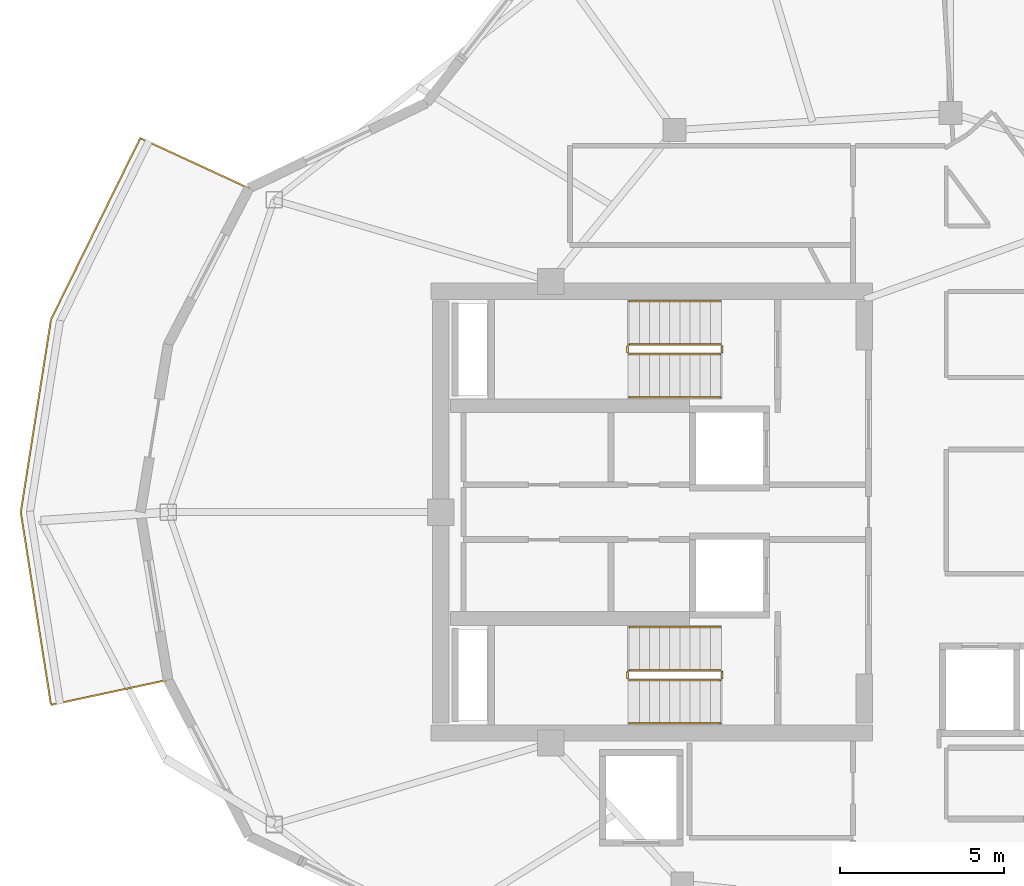
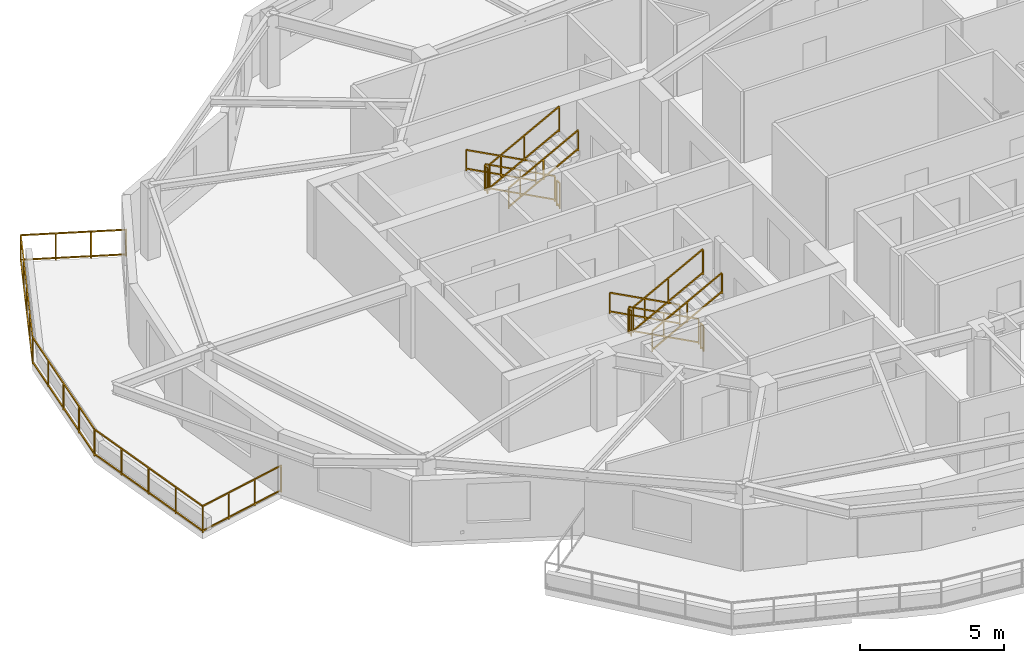
# One storey, part 11 of 14: 13 railings.
"""IFC4 building model written with IfcOpenShell, lengths in metres."""

from ifc_helpers import new_model, si_unit, direction, frame, origin, origin_2d, place, context, subcontext, project, spatial, rectangle, extrude, material, type_object, element, save


model = new_model("IFC4")

# Units and contexts
model_context = context("Model", 3, precision=1e-05, world=origin(), true_north=direction((0.0, 1.0)))
body_context = subcontext(model_context, "Body", "Model", "MODEL_VIEW")
ifc_project = project(units=[si_unit("LENGTHUNIT", "METRE"), si_unit("AREAUNIT", "SQUARE_METRE"), si_unit("VOLUMEUNIT", "CUBIC_METRE"), si_unit("PLANEANGLEUNIT", "RADIAN"), si_unit("MASSUNIT", "GRAM", prefix="KILO")], contexts=[model_context])

# Site, building, storey
site_placement = place(None, origin())
site = spatial("IfcSite", under=ifc_project, at=site_placement, CompositionType="ELEMENT")
building_placement = place(site_placement, origin())
building = spatial("IfcBuilding", under=site, at=building_placement, Name="Kolvaren Gate Tower and Convention Centre", CompositionType="ELEMENT")
storey_placement = place(building_placement, frame((0.0, 0.0, 209.60009765625)))
storey = spatial("IfcBuildingStorey", under=building, at=storey_placement, Name="L55", CompositionType="ELEMENT", Elevation=209.60009765625)

# Railings
ifc_material = material(Name="Brushed Stainless Steel Grade 316L", Category="steel")
railing_type_1 = type_object("IfcRailingType", Name="ARCH-RL-GUARD-1150", PredefinedType="GUARDRAIL", material=ifc_material)
railing_1_placement = place(storey_placement, frame((23.10009765625, 32.1298828125, 0.164794921875)))
element("IfcRailing", 1, at=railing_1_placement, inside=storey, type_object=railing_type_1, Name="L55 ST-T1 stair guard 1", PredefinedType="GUARDRAIL", context=body_context, shape_type="SweptSolid", body=[
    extrude(rectangle(XDim=0.048095703125, YDim=0.048095703125, at=origin_2d()), frame((0.0, 0.0, 1.076171875), z_axis=(-0.882735390775, 0.0, 0.469870439454), x_axis=(0.0, -1.0, 0.0)), (0.0, 0.0, 1.0), 3.16064453125),
    extrude(rectangle(XDim=0.048095703125, YDim=0.048095703125, at=origin_2d()), frame((0.0, 0.0, 0.083984375), z_axis=(-0.882735390775, 0.0, 0.469870439454), x_axis=(0.0, -1.0, 0.0)), (0.0, 0.0, 1.0), 3.16064453125),
    extrude(rectangle(XDim=0.0419921875, YDim=0.0419921875, at=origin_2d()), origin(), (0.0, 0.0, 1.0), 1.050048828125),
    extrude(rectangle(XDim=0.0419921875, YDim=0.0419921875, at=origin_2d()), frame((-2.7900390625, 0.0, 1.485107421875)), (0.0, 0.0, 1.0), 1.050048828125),
    extrude(rectangle(XDim=0.0419921875, YDim=0.0419921875, at=origin_2d()), frame((-1.39501953125, 0.0, 0.74267578125)), (0.0, 0.0, 1.0), 1.050048828125),
])
railing_2_placement = place(storey_placement, frame((20.260009765625, 32.080078125, 1.64990234375)))
element("IfcRailing", 2, at=railing_2_placement, inside=storey, type_object=railing_type_1, Name="L55 ST-T1 stair guard 2", PredefinedType="GUARDRAIL", context=body_context, shape_type="SweptSolid", body=[
    extrude(rectangle(XDim=0.048095703125, YDim=0.048095703125, at=origin_2d()), frame((0.0, 0.0, 1.076171875), z_axis=(0.0, -1.0, 0.0), x_axis=(1.0, 0.0, 0.0)), (0.0, 0.0, 1.0), 0.2001953125),
    extrude(rectangle(XDim=0.048095703125, YDim=0.048095703125, at=origin_2d()), frame((0.0, 0.0, 0.083984375), z_axis=(0.0, -1.0, 0.0), x_axis=(1.0, 0.0, 0.0)), (0.0, 0.0, 1.0), 0.2001953125),
    extrude(rectangle(XDim=0.0419921875, YDim=0.0419921875, at=origin_2d()), origin(), (0.0, 0.0, 1.0), 1.050048828125),
    extrude(rectangle(XDim=0.0419921875, YDim=0.0419921875, at=origin_2d()), frame((0.0, -0.2001953125, 0.0)), (0.0, 0.0, 1.0), 1.050048828125),
])
railing_3_placement = place(storey_placement, frame((20.31005859375, 31.830078125, 1.81494140625)))
element("IfcRailing", 3, at=railing_3_placement, inside=storey, type_object=railing_type_1, Name="L55 ST-T1 stair guard 3", PredefinedType="GUARDRAIL", context=body_context, shape_type="SweptSolid", body=[
    extrude(rectangle(XDim=0.048095703125, YDim=0.048095703125, at=origin_2d()), frame((0.0, 0.0, 1.076171875), z_axis=(0.882767428149, 0.0, 0.469810246588), x_axis=(0.0, 1.0, 0.0)), (0.0, 0.0, 1.0), 3.16064453125),
    extrude(rectangle(XDim=0.048095703125, YDim=0.048095703125, at=origin_2d()), frame((0.0, 0.0, 0.083984375), z_axis=(0.882767428149, 0.0, 0.469810246588), x_axis=(0.0, 1.0, 0.0)), (0.0, 0.0, 1.0), 3.16064453125),
    extrude(rectangle(XDim=0.0419921875, YDim=0.0419921875, at=origin_2d()), origin(), (0.0, 0.0, 1.0), 1.050048828125),
    extrude(rectangle(XDim=0.0419921875, YDim=0.0419921875, at=origin_2d()), frame((2.7900390625, 0.0, 1.48486328125)), (0.0, 0.0, 1.0), 1.050048828125),
    extrude(rectangle(XDim=0.0419921875, YDim=0.0419921875, at=origin_2d()), frame((1.39501953125, 0.0, 0.742431640625)), (0.0, 0.0, 1.0), 1.050048828125),
])
railing_4_placement = place(storey_placement, frame((23.14990234375, 32.080078125, 0.0)))
element("IfcRailing", 4, at=railing_4_placement, inside=storey, type_object=railing_type_1, Name="L55 ST-T1 stair guard 4", PredefinedType="GUARDRAIL", context=body_context, shape_type="SweptSolid", body=[
    extrude(rectangle(XDim=0.048095703125, YDim=0.048095703125, at=origin_2d()), frame((0.0, 0.0, 1.076171875), z_axis=(0.0, -1.0, 0.0), x_axis=(1.0, 0.0, 0.0)), (0.0, 0.0, 1.0), 0.2001953125),
    extrude(rectangle(XDim=0.048095703125, YDim=0.048095703125, at=origin_2d()), frame((0.0, 0.0, 0.083984375), z_axis=(0.0, -1.0, 0.0), x_axis=(1.0, 0.0, 0.0)), (0.0, 0.0, 1.0), 0.2001953125),
    extrude(rectangle(XDim=0.0419921875, YDim=0.0419921875, at=origin_2d()), origin(), (0.0, 0.0, 1.0), 1.050048828125),
    extrude(rectangle(XDim=0.0419921875, YDim=0.0419921875, at=origin_2d()), frame((0.0, -0.2001953125, 0.0)), (0.0, 0.0, 1.0), 1.050048828125),
])
railing_5_placement = place(storey_placement, frame((23.10009765625, 22.169921875, 0.164794921875)))
element("IfcRailing", 5, at=railing_5_placement, inside=storey, type_object=railing_type_1, Name="L55 ST-T2 stair guard 1", PredefinedType="GUARDRAIL", context=body_context, shape_type="SweptSolid", body=[
    extrude(rectangle(XDim=0.048095703125, YDim=0.048095703125, at=origin_2d()), frame((0.0, 0.0, 1.076171875), z_axis=(-0.882735390775, 0.0, 0.469870439454), x_axis=(0.0, -1.0, 0.0)), (0.0, 0.0, 1.0), 3.16064453125),
    extrude(rectangle(XDim=0.048095703125, YDim=0.048095703125, at=origin_2d()), frame((0.0, 0.0, 0.083984375), z_axis=(-0.882735390775, 0.0, 0.469870439454), x_axis=(0.0, -1.0, 0.0)), (0.0, 0.0, 1.0), 3.16064453125),
    extrude(rectangle(XDim=0.0419921875, YDim=0.0419921875, at=origin_2d()), origin(), (0.0, 0.0, 1.0), 1.050048828125),
    extrude(rectangle(XDim=0.0419921875, YDim=0.0419921875, at=origin_2d()), frame((-2.7900390625, 0.0, 1.485107421875)), (0.0, 0.0, 1.0), 1.050048828125),
    extrude(rectangle(XDim=0.0419921875, YDim=0.0419921875, at=origin_2d()), frame((-1.39501953125, 0.0, 0.74267578125)), (0.0, 0.0, 1.0), 1.050048828125),
])
railing_6_placement = place(storey_placement, frame((20.260009765625, 22.1201171875, 1.64990234375)))
element("IfcRailing", 6, at=railing_6_placement, inside=storey, type_object=railing_type_1, Name="L55 ST-T2 stair guard 2", PredefinedType="GUARDRAIL", context=body_context, shape_type="SweptSolid", body=[
    extrude(rectangle(XDim=0.048095703125, YDim=0.048095703125, at=origin_2d()), frame((0.0, 0.0, 1.076171875), z_axis=(0.0, -1.0, 0.0), x_axis=(1.0, 0.0, 0.0)), (0.0, 0.0, 1.0), 0.2001953125),
    extrude(rectangle(XDim=0.048095703125, YDim=0.048095703125, at=origin_2d()), frame((0.0, 0.0, 0.083984375), z_axis=(0.0, -1.0, 0.0), x_axis=(1.0, 0.0, 0.0)), (0.0, 0.0, 1.0), 0.2001953125),
    extrude(rectangle(XDim=0.0419921875, YDim=0.0419921875, at=origin_2d()), origin(), (0.0, 0.0, 1.0), 1.050048828125),
    extrude(rectangle(XDim=0.0419921875, YDim=0.0419921875, at=origin_2d()), frame((0.0, -0.2001953125, 0.0)), (0.0, 0.0, 1.0), 1.050048828125),
])
railing_7_placement = place(storey_placement, frame((20.31005859375, 21.8701171875, 1.81494140625)))
element("IfcRailing", 7, at=railing_7_placement, inside=storey, type_object=railing_type_1, Name="L55 ST-T2 stair guard 3", PredefinedType="GUARDRAIL", context=body_context, shape_type="SweptSolid", body=[
    extrude(rectangle(XDim=0.048095703125, YDim=0.048095703125, at=origin_2d()), frame((0.0, 0.0, 1.076171875), z_axis=(0.882767428149, 0.0, 0.469810246588), x_axis=(0.0, 1.0, 0.0)), (0.0, 0.0, 1.0), 3.16064453125),
    extrude(rectangle(XDim=0.048095703125, YDim=0.048095703125, at=origin_2d()), frame((0.0, 0.0, 0.083984375), z_axis=(0.882767428149, 0.0, 0.469810246588), x_axis=(0.0, 1.0, 0.0)), (0.0, 0.0, 1.0), 3.16064453125),
    extrude(rectangle(XDim=0.0419921875, YDim=0.0419921875, at=origin_2d()), origin(), (0.0, 0.0, 1.0), 1.050048828125),
    extrude(rectangle(XDim=0.0419921875, YDim=0.0419921875, at=origin_2d()), frame((2.7900390625, 0.0, 1.48486328125)), (0.0, 0.0, 1.0), 1.050048828125),
    extrude(rectangle(XDim=0.0419921875, YDim=0.0419921875, at=origin_2d()), frame((1.39501953125, 0.0, 0.742431640625)), (0.0, 0.0, 1.0), 1.050048828125),
])
railing_8_placement = place(storey_placement, frame((23.14990234375, 22.1201171875, 0.0)))
element("IfcRailing", 8, at=railing_8_placement, inside=storey, type_object=railing_type_1, Name="L55 ST-T2 stair guard 4", PredefinedType="GUARDRAIL", context=body_context, shape_type="SweptSolid", body=[
    extrude(rectangle(XDim=0.048095703125, YDim=0.048095703125, at=origin_2d()), frame((0.0, 0.0, 1.076171875), z_axis=(0.0, -1.0, 0.0), x_axis=(1.0, 0.0, 0.0)), (0.0, 0.0, 1.0), 0.2001953125),
    extrude(rectangle(XDim=0.048095703125, YDim=0.048095703125, at=origin_2d()), frame((0.0, 0.0, 0.083984375), z_axis=(0.0, -1.0, 0.0), x_axis=(1.0, 0.0, 0.0)), (0.0, 0.0, 1.0), 0.2001953125),
    extrude(rectangle(XDim=0.0419921875, YDim=0.0419921875, at=origin_2d()), origin(), (0.0, 0.0, 1.0), 1.050048828125),
    extrude(rectangle(XDim=0.0419921875, YDim=0.0419921875, at=origin_2d()), frame((0.0, -0.2001953125, 0.0)), (0.0, 0.0, 1.0), 1.050048828125),
])
railing_9_placement = place(storey_placement, frame((8.69091796875, 36.89990234375, 0.0)))
element("IfcRailing", 9, at=railing_9_placement, inside=storey, type_object=railing_type_1, Name="Tower L55 Terrace Perimeter Guardrail GR-2", PredefinedType="GUARDRAIL", context=body_context, shape_type="SweptSolid", body=[
    extrude(rectangle(XDim=0.048095703125, YDim=0.048095703125, at=origin_2d()), frame((-0.025390625, 0.01171875, 1.1259765625), z_axis=(-0.907820723829, 0.419358478377, 0.0), x_axis=(-0.419358478377, -0.907820723829, 0.0)), (0.0, 0.0, 1.0), 3.60400390625),
    extrude(rectangle(XDim=0.048095703125, YDim=0.048095703125, at=origin_2d()), frame((-0.025390625, 0.01171875, 0.083984375), z_axis=(-0.907820723829, 0.419358478377, 0.0), x_axis=(-0.419358478377, -0.907820723829, 0.0)), (0.0, 0.0, 1.0), 3.60400390625),
    extrude(rectangle(XDim=0.048095703125, YDim=0.048095703125, at=origin_2d()), frame((-3.335205078125, 1.509765625, 1.1259765625), z_axis=(-0.441625304244, -0.897199582396, 0.0), x_axis=(0.897199582396, -0.441625304244, 0.0)), (0.0, 0.0, 1.0), 6.122314453125),
    extrude(rectangle(XDim=0.048095703125, YDim=0.048095703125, at=origin_2d()), frame((-3.335205078125, 1.509765625, 0.083984375), z_axis=(-0.441625304244, -0.897199582396, 0.0), x_axis=(0.897199582396, -0.441625304244, 0.0)), (0.0, 0.0, 1.0), 6.122314453125),
    extrude(rectangle(XDim=0.048095703125, YDim=0.048095703125, at=origin_2d()), frame((-6.0556640625, -4.035888671875, 1.1259765625), z_axis=(-0.155031225865, -0.987909570258, 0.0), x_axis=(0.987909570258, -0.155031225865, 0.0)), (0.0, 0.0, 1.0), 5.90771484375),
    extrude(rectangle(XDim=0.048095703125, YDim=0.048095703125, at=origin_2d()), frame((-6.0556640625, -4.035888671875, 0.083984375), z_axis=(-0.155031225865, -0.987909570258, 0.0), x_axis=(0.987909570258, -0.155031225865, 0.0)), (0.0, 0.0, 1.0), 5.90771484375),
    extrude(rectangle(XDim=0.048095703125, YDim=0.048095703125, at=origin_2d()), frame((-6.971435546875, -9.927490234375, 1.1259765625), z_axis=(0.155031225865, -0.987909570258, 0.0), x_axis=(0.987909570258, 0.155031225865, 0.0)), (0.0, 0.0, 1.0), 5.90771484375),
    extrude(rectangle(XDim=0.048095703125, YDim=0.048095703125, at=origin_2d()), frame((-6.971435546875, -9.927490234375, 0.083984375), z_axis=(0.155031225865, -0.987909570258, 0.0), x_axis=(0.987909570258, 0.155031225865, 0.0)), (0.0, 0.0, 1.0), 5.90771484375),
    extrude(rectangle(XDim=0.048095703125, YDim=0.048095703125, at=origin_2d()), frame((-6.02392578125, -15.78564453125, 1.1259765625), z_axis=(0.977788745232, 0.209592866525, 0.0), x_axis=(-0.209592866525, 0.977788745232, 0.0)), (0.0, 0.0, 1.0), 3.603759765625),
    extrude(rectangle(XDim=0.048095703125, YDim=0.048095703125, at=origin_2d()), frame((-6.02392578125, -15.78564453125, 0.083984375), z_axis=(0.977788745232, 0.209592866525, 0.0), x_axis=(-0.209592866525, 0.977788745232, 0.0)), (0.0, 0.0, 1.0), 3.603759765625),
    extrude(rectangle(XDim=0.0419921875, YDim=0.0419921875, at=origin_2d()), origin(), (0.0, 0.0, 1.0), 1.14990234375),
    extrude(rectangle(XDim=0.0419921875, YDim=0.0419921875, at=origin_2d()), frame((-3.32275390625, 1.534912109375, 0.0)), (0.0, 0.0, 1.0), 1.14990234375),
    extrude(rectangle(XDim=0.0419921875, YDim=0.0419921875, at=origin_2d()), frame((-1.107666015625, 0.51171875, 0.0)), (0.0, 0.0, 1.0), 1.099853515625),
    extrude(rectangle(XDim=0.0419921875, YDim=0.0419921875, at=origin_2d()), frame((-2.215087890625, 1.023193359375, 0.0)), (0.0, 0.0, 1.0), 1.099853515625),
    extrude(rectangle(XDim=0.0419921875, YDim=0.0419921875, at=origin_2d()), frame((-6.05126953125, -4.00830078125, 0.0)), (0.0, 0.0, 1.0), 1.14990234375),
    extrude(rectangle(XDim=0.0419921875, YDim=0.0419921875, at=origin_2d()), frame((-4.0048828125, 0.149169921875, 0.0)), (0.0, 0.0, 1.0), 1.099853515625),
    extrude(rectangle(XDim=0.0419921875, YDim=0.0419921875, at=origin_2d()), frame((-4.68701171875, -1.23681640625, 0.0)), (0.0, 0.0, 1.0), 1.099853515625),
    extrude(rectangle(XDim=0.0419921875, YDim=0.0419921875, at=origin_2d()), frame((-5.369140625, -2.62255859375, 0.0)), (0.0, 0.0, 1.0), 1.099853515625),
    extrude(rectangle(XDim=0.0419921875, YDim=0.0419921875, at=origin_2d()), frame((-6.975830078125, -9.89990234375, 0.0)), (0.0, 0.0, 1.0), 1.14990234375),
    extrude(rectangle(XDim=0.0419921875, YDim=0.0419921875, at=origin_2d()), frame((-6.282470703125, -5.481201171875, 0.0)), (0.0, 0.0, 1.0), 1.099853515625),
    extrude(rectangle(XDim=0.0419921875, YDim=0.0419921875, at=origin_2d()), frame((-6.513671875, -6.9541015625, 0.0)), (0.0, 0.0, 1.0), 1.099853515625),
    extrude(rectangle(XDim=0.0419921875, YDim=0.0419921875, at=origin_2d()), frame((-6.74462890625, -8.427001953125, 0.0)), (0.0, 0.0, 1.0), 1.099853515625),
    extrude(rectangle(XDim=0.0419921875, YDim=0.0419921875, at=origin_2d()), frame((-6.05126953125, -15.79150390625, 0.0)), (0.0, 0.0, 1.0), 1.14990234375),
    extrude(rectangle(XDim=0.0419921875, YDim=0.0419921875, at=origin_2d()), frame((-6.74462890625, -11.372802734375, 0.0)), (0.0, 0.0, 1.0), 1.099853515625),
    extrude(rectangle(XDim=0.0419921875, YDim=0.0419921875, at=origin_2d()), frame((-6.513671875, -12.845703125, 0.0)), (0.0, 0.0, 1.0), 1.099853515625),
    extrude(rectangle(XDim=0.0419921875, YDim=0.0419921875, at=origin_2d()), frame((-6.282470703125, -14.318603515625, 0.0)), (0.0, 0.0, 1.0), 1.099853515625),
    extrude(rectangle(XDim=0.0419921875, YDim=0.0419921875, at=origin_2d()), frame((-2.47265625, -15.0244140625, 0.0)), (0.0, 0.0, 1.0), 1.14990234375),
    extrude(rectangle(XDim=0.0419921875, YDim=0.0419921875, at=origin_2d()), frame((-4.8583984375, -15.535888671875, 0.0)), (0.0, 0.0, 1.0), 1.099853515625),
    extrude(rectangle(XDim=0.0419921875, YDim=0.0419921875, at=origin_2d()), frame((-3.66552734375, -15.280029296875, 0.0)), (0.0, 0.0, 1.0), 1.099853515625),
])
railing_type_2 = type_object("IfcRailingType", Name="ARCH-RL-HANDRAIL-920", PredefinedType="HANDRAIL", material=ifc_material)
railing_10_placement = place(storey_placement, frame((23.10009765625, 33.449951171875, 0.164794921875)))
element("IfcRailing", 10, at=railing_10_placement, inside=storey, type_object=railing_type_2, Name="L55 ST-T1 stair handrail 1", PredefinedType="HANDRAIL", context=body_context, shape_type="SweptSolid", body=[
    extrude(rectangle(XDim=0.048095703125, YDim=0.048095703125, at=origin_2d()), frame((0.0, 0.0, 0.8759765625), z_axis=(-0.882735390775, 0.0, 0.469870439454), x_axis=(0.0, -1.0, 0.0)), (0.0, 0.0, 1.0), 3.16064453125),
    extrude(rectangle(XDim=0.048095703125, YDim=0.048095703125, at=origin_2d()), frame((0.0, 0.0, 0.083984375), z_axis=(-0.882735390775, 0.0, 0.469870439454), x_axis=(0.0, -1.0, 0.0)), (0.0, 0.0, 1.0), 3.16064453125),
    extrude(rectangle(XDim=0.0419921875, YDim=0.0419921875, at=origin_2d()), origin(), (0.0, 0.0, 1.0), 0.849853515625),
    extrude(rectangle(XDim=0.0419921875, YDim=0.0419921875, at=origin_2d()), frame((-2.7900390625, 0.0, 1.485107421875)), (0.0, 0.0, 1.0), 0.849853515625),
    extrude(rectangle(XDim=0.0419921875, YDim=0.0419921875, at=origin_2d()), frame((-1.39501953125, 0.0, 0.74267578125)), (0.0, 0.0, 1.0), 0.849853515625),
])
railing_11_placement = place(storey_placement, frame((20.31005859375, 30.510009765625, 1.81494140625)))
element("IfcRailing", 11, at=railing_11_placement, inside=storey, type_object=railing_type_2, Name="L55 ST-T1 stair handrail 2", PredefinedType="HANDRAIL", context=body_context, shape_type="SweptSolid", body=[
    extrude(rectangle(XDim=0.048095703125, YDim=0.048095703125, at=origin_2d()), frame((0.0, 0.0, 0.8759765625), z_axis=(0.882767428149, 0.0, 0.469810246588), x_axis=(0.0, 1.0, 0.0)), (0.0, 0.0, 1.0), 3.16064453125),
    extrude(rectangle(XDim=0.048095703125, YDim=0.048095703125, at=origin_2d()), frame((0.0, 0.0, 0.083984375), z_axis=(0.882767428149, 0.0, 0.469810246588), x_axis=(0.0, 1.0, 0.0)), (0.0, 0.0, 1.0), 3.16064453125),
    extrude(rectangle(XDim=0.0419921875, YDim=0.0419921875, at=origin_2d()), origin(), (0.0, 0.0, 1.0), 0.849853515625),
    extrude(rectangle(XDim=0.0419921875, YDim=0.0419921875, at=origin_2d()), frame((2.7900390625, 0.0, 1.48486328125)), (0.0, 0.0, 1.0), 0.849853515625),
    extrude(rectangle(XDim=0.0419921875, YDim=0.0419921875, at=origin_2d()), frame((1.39501953125, 0.0, 0.742431640625)), (0.0, 0.0, 1.0), 0.849853515625),
])
railing_12_placement = place(storey_placement, frame((23.10009765625, 23.489990234375, 0.164794921875)))
element("IfcRailing", 12, at=railing_12_placement, inside=storey, type_object=railing_type_2, Name="L55 ST-T2 stair handrail 1", PredefinedType="HANDRAIL", context=body_context, shape_type="SweptSolid", body=[
    extrude(rectangle(XDim=0.048095703125, YDim=0.048095703125, at=origin_2d()), frame((0.0, 0.0, 0.8759765625), z_axis=(-0.882735390775, 0.0, 0.469870439454), x_axis=(0.0, -1.0, 0.0)), (0.0, 0.0, 1.0), 3.16064453125),
    extrude(rectangle(XDim=0.048095703125, YDim=0.048095703125, at=origin_2d()), frame((0.0, 0.0, 0.083984375), z_axis=(-0.882735390775, 0.0, 0.469870439454), x_axis=(0.0, -1.0, 0.0)), (0.0, 0.0, 1.0), 3.16064453125),
    extrude(rectangle(XDim=0.0419921875, YDim=0.0419921875, at=origin_2d()), origin(), (0.0, 0.0, 1.0), 0.849853515625),
    extrude(rectangle(XDim=0.0419921875, YDim=0.0419921875, at=origin_2d()), frame((-2.7900390625, 0.0, 1.485107421875)), (0.0, 0.0, 1.0), 0.849853515625),
    extrude(rectangle(XDim=0.0419921875, YDim=0.0419921875, at=origin_2d()), frame((-1.39501953125, 0.0, 0.74267578125)), (0.0, 0.0, 1.0), 0.849853515625),
])
railing_13_placement = place(storey_placement, frame((20.31005859375, 20.550048828125, 1.81494140625)))
element("IfcRailing", 13, at=railing_13_placement, inside=storey, type_object=railing_type_2, Name="L55 ST-T2 stair handrail 2", PredefinedType="HANDRAIL", context=body_context, shape_type="SweptSolid", body=[
    extrude(rectangle(XDim=0.048095703125, YDim=0.048095703125, at=origin_2d()), frame((0.0, 0.0, 0.8759765625), z_axis=(0.882767428149, 0.0, 0.469810246588), x_axis=(0.0, 1.0, 0.0)), (0.0, 0.0, 1.0), 3.16064453125),
    extrude(rectangle(XDim=0.048095703125, YDim=0.048095703125, at=origin_2d()), frame((0.0, 0.0, 0.083984375), z_axis=(0.882767428149, 0.0, 0.469810246588), x_axis=(0.0, 1.0, 0.0)), (0.0, 0.0, 1.0), 3.16064453125),
    extrude(rectangle(XDim=0.0419921875, YDim=0.0419921875, at=origin_2d()), origin(), (0.0, 0.0, 1.0), 0.849853515625),
    extrude(rectangle(XDim=0.0419921875, YDim=0.0419921875, at=origin_2d()), frame((2.7900390625, 0.0, 1.48486328125)), (0.0, 0.0, 1.0), 0.849853515625),
    extrude(rectangle(XDim=0.0419921875, YDim=0.0419921875, at=origin_2d()), frame((1.39501953125, 0.0, 0.742431640625)), (0.0, 0.0, 1.0), 0.849853515625),
])

save(model, "model.ifc")
